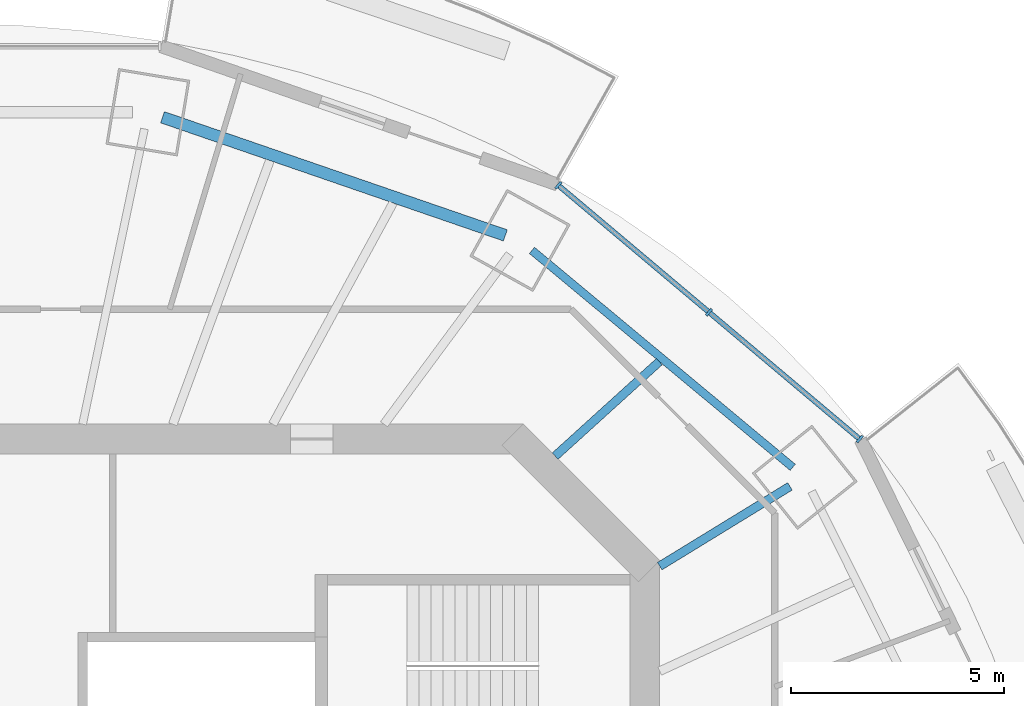
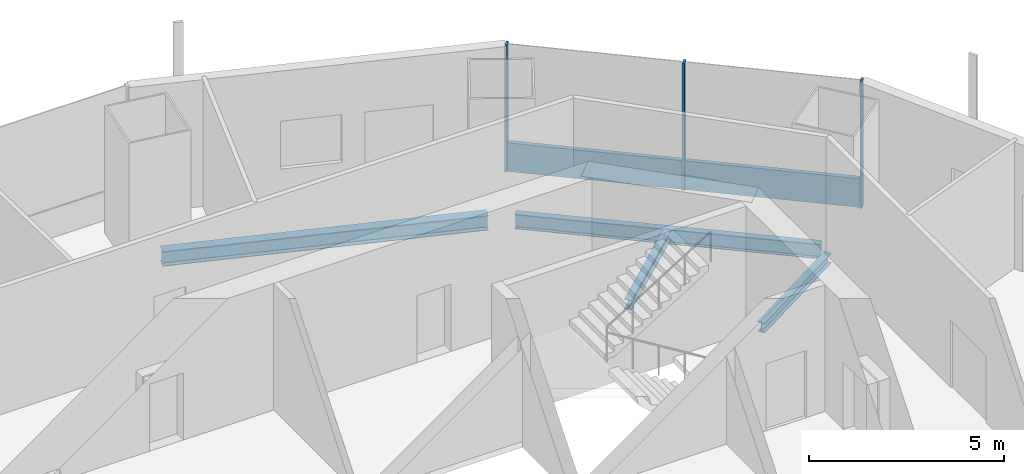
# One storey, part 6 of 16: 4 beams, 4 members, 1 element without a shape of its own.
"""IFC4 building model written with IfcOpenShell, lengths in metres."""

from ifc_helpers import new_model, si_unit, direction, frame, origin, origin_2d, place, context, subcontext, project, spatial, rectangle, i_section, extrude, material, material_profile, profile_set, type_object, element, aggregate, save


model = new_model("IFC4")

# Units and contexts
model_context = context("Model", 3, precision=1e-05, world=origin(), true_north=direction((0.0, 1.0)))
body_context = subcontext(model_context, "Body", "Model", "MODEL_VIEW")
ifc_project = project(units=[si_unit("LENGTHUNIT", "METRE"), si_unit("AREAUNIT", "SQUARE_METRE"), si_unit("VOLUMEUNIT", "CUBIC_METRE"), si_unit("PLANEANGLEUNIT", "RADIAN"), si_unit("MASSUNIT", "GRAM", prefix="KILO")], contexts=[model_context])

# Site, building, storey
site_placement = place(None, origin())
site = spatial("IfcSite", under=ifc_project, at=site_placement, CompositionType="ELEMENT")
building_placement = place(site_placement, origin())
building = spatial("IfcBuilding", under=site, at=building_placement, Name="Marenthal Gate Tower", CompositionType="ELEMENT")
storey_placement = place(building_placement, frame((0.0, 0.0, 375.800048828125)))
storey = spatial("IfcBuildingStorey", under=building, at=storey_placement, Name="L85", CompositionType="ELEMENT", Elevation=375.800048828125)

# Curtain wall, members
ifc_material_1 = material(Name="Aluminium and glass", Category="aluminium")
curtain_wall_type = type_object("IfcCurtainWallType", Name="Curtain wall typical high", PredefinedType="NOTDEFINED", material=ifc_material_1)
curtain_wall_placement = place(storey_placement, origin())
curtain_wall = element("IfcCurtainWall", 1, at=curtain_wall_placement, inside=storey, type_object=curtain_wall_type, Name="Curtain wall L85 bay 2", PredefinedType="NOTDEFINED")
ifc_material_2 = material(Name="Aluminium", Category="aluminium")
ifc_material_profile_1 = material_profile(ifc_material_2, rectangle(XDim=0.199951171875, YDim=0.06005859375, at=origin_2d()), Name="60x200 aluminium mullion")
ifc_profile_set_1 = profile_set([ifc_material_profile_1], Name="Aluminium")
member_type_1 = type_object("IfcMemberType", Name="Mullion 60x200 typical high", PredefinedType="MULLION", material=ifc_profile_set_1)
member_1_placement = place(storey_placement, frame((21.04736328125, 13.000244140625, 0.0), z_axis=(0.0, 0.0, 1.0), x_axis=(-0.64413508453, -0.764911754961, 0.0)))
member_1 = element("IfcMember", 2, at=member_1_placement, type_object=member_type_1, Name="Mullion L85 bay 2.1", PredefinedType="MULLION", context=body_context, shape_type="SweptSolid", body=[
    extrude(rectangle(XDim=0.199951171875, YDim=0.06005859375, at=origin_2d()), origin(), (0.0, 0.0, 1.0), 3.969970703125),
])
member_2_placement = place(storey_placement, frame((17.508056640625, 15.98046875, 0.0), z_axis=(0.0, 0.0, 1.0), x_axis=(-0.64413508453, -0.764911754961, 0.0)))
member_2 = element("IfcMember", 3, at=member_2_placement, type_object=member_type_1, Name="Mullion L85 bay 2.2", PredefinedType="MULLION", context=body_context, shape_type="SweptSolid", body=[
    extrude(rectangle(XDim=0.199951171875, YDim=0.06005859375, at=origin_2d()), origin(), (0.0, 0.0, 1.0), 3.969970703125),
])
member_3_placement = place(storey_placement, frame((13.96875, 18.9609375, 0.0), z_axis=(0.0, 0.0, 1.0), x_axis=(-0.64413508453, -0.764911754961, 0.0)))
member_3 = element("IfcMember", 4, at=member_3_placement, type_object=member_type_1, Name="Mullion L85 bay 2.3", PredefinedType="MULLION", context=body_context, shape_type="SweptSolid", body=[
    extrude(rectangle(XDim=0.199951171875, YDim=0.06005859375, at=origin_2d()), origin(), (0.0, 0.0, 1.0), 3.969970703125),
])
ifc_material_3 = material(Name="Aluminium", Category="aluminium")
ifc_material_profile_2 = material_profile(ifc_material_3, rectangle(XDim=0.1201171875, YDim=0.89990234375, at=origin_2d()), Name="120x900 aluminium transom")
ifc_profile_set_2 = profile_set([ifc_material_profile_2], Name="Aluminium")
member_type_2 = type_object("IfcMemberType", Name="Transom 120x900 typical high", PredefinedType="USERDEFINED", material=ifc_profile_set_2)
member_4_placement = place(storey_placement, frame((21.0244140625, 13.01953125, 0.449951171875), z_axis=(-0.764920149863, 0.644125115435, 0.0), x_axis=(-0.644125115435, -0.764920149863, 0.0)))
member_4 = element("IfcMember", 5, at=member_4_placement, type_object=member_type_2, Name="Transom L85 bay 2", ObjectType="TRANSOM", PredefinedType="USERDEFINED", context=body_context, shape_type="SweptSolid", body=[
    extrude(rectangle(XDim=0.1201171875, YDim=0.89990234375, at=origin_2d()), origin(), (0.0, 0.0, 1.0), 9.194091796875),
])
aggregate(curtain_wall, [member_1, member_2, member_3, member_4])

# Beams
ifc_material_4 = material(Name="Steel S355", Category="steel")
ifc_material_profile_3 = material_profile(ifc_material_4, i_section(OverallWidth=0.202880859375, OverallDepth=0.302001953125, WebThickness=0.007568359375, FlangeThickness=0.01318359375, FilletRadius=0.0126953125, at=origin_2d()), Name="W310X60")
ifc_profile_set_3 = profile_set([ifc_material_profile_3], Name="Steel S355")
beam_type_1 = type_object("IfcBeamType", Name="W310X60 beam", PredefinedType="BEAM", material=ifc_profile_set_3)
beam_1_placement = place(storey_placement, frame((16.3408203125, 14.820068359375, -0.3310546875), z_axis=(-0.74074555035, -0.671785702168, 0.0), x_axis=(0.671785702168, -0.74074555035, 0.0)))
element("IfcBeam", 6, at=beam_1_placement, inside=storey, type_object=beam_type_1, Name="BM-L85-19", PredefinedType="BEAM", context=body_context, shape_type="SweptSolid", body=[
    extrude(i_section(OverallWidth=0.202880859375, OverallDepth=0.302001953125, WebThickness=0.007568359375, FlangeThickness=0.01318359375, FilletRadius=0.0126953125, at=origin_2d()), origin(), (0.0, 0.0, 1.0), 3.30322265625),
])
ifc_material_5 = material(Name="Steel S355", Category="steel")
ifc_material_profile_4 = material_profile(ifc_material_5, i_section(OverallWidth=0.205078125, OverallDepth=0.31005859375, WebThickness=0.009521484375, FlangeThickness=0.016357421875, FilletRadius=0.0126953125, at=origin_2d()), Name="W310X74")
ifc_profile_set_4 = profile_set([ifc_material_profile_4], Name="Steel S355")
beam_type_2 = type_object("IfcBeamType", Name="W310X74 beam", PredefinedType="BEAM", material=ifc_profile_set_4)
beam_2_placement = place(storey_placement, frame((19.4091796875, 11.890380859375, -0.3349609375), z_axis=(-0.852682419774, -0.522429603879, 0.0), x_axis=(0.522429603879, -0.852682419774, 0.0)))
element("IfcBeam", 7, at=beam_2_placement, inside=storey, type_object=beam_type_2, Name="BM-L85-02", PredefinedType="BEAM", context=body_context, shape_type="SweptSolid", body=[
    extrude(i_section(OverallWidth=0.205078125, OverallDepth=0.31005859375, WebThickness=0.009521484375, FlangeThickness=0.016357421875, FilletRadius=0.0126953125, at=origin_2d()), origin(), (0.0, 0.0, 1.0), 3.587646484375),
])
ifc_material_6 = material(Name="Steel S355", Category="steel")
ifc_material_profile_5 = material_profile(ifc_material_6, i_section(OverallWidth=0.279052734375, OverallDepth=0.4619140625, WebThickness=0.0107421875, FlangeThickness=0.017333984375, FilletRadius=0.010009765625, at=origin_2d()), Name="W460X113")
ifc_profile_set_5 = profile_set([ifc_material_profile_5], Name="Steel S355")
beam_type_3 = type_object("IfcBeamType", Name="W460X113 beam", PredefinedType="BEAM", material=ifc_profile_set_5)
beam_3_placement = place(storey_placement, frame((12.724609375, 17.784912109375, -0.4111328125), z_axis=(-0.945450630653, 0.32576541406, 0.0), x_axis=(-0.32576541406, -0.945450630653, 0.0)))
element("IfcBeam", 8, at=beam_3_placement, inside=storey, type_object=beam_type_3, Name="BM-L85-41", PredefinedType="BEAM", context=body_context, shape_type="SweptSolid", body=[
    extrude(i_section(OverallWidth=0.279052734375, OverallDepth=0.4619140625, WebThickness=0.0107421875, FlangeThickness=0.017333984375, FilletRadius=0.010009765625, at=origin_2d()), origin(), (0.0, 0.0, 1.0), 8.517333984375),
])
ifc_material_7 = material(Name="Steel S355", Category="steel")
ifc_material_profile_6 = material_profile(ifc_material_7, i_section(OverallWidth=0.19091796875, OverallDepth=0.45703125, WebThickness=0.009033203125, FlangeThickness=0.014404296875, FilletRadius=0.01025390625, at=origin_2d()), Name="W460X74")
ifc_profile_set_6 = profile_set([ifc_material_profile_6], Name="Steel S355")
beam_type_4 = type_object("IfcBeamType", Name="W460X74 beam", PredefinedType="BEAM", material=ifc_profile_set_6)
beam_4_placement = place(storey_placement, frame((19.47412109375, 12.337890625, -0.408447265625), z_axis=(-0.76879863702, 0.639490934819, 0.0), x_axis=(-0.639490934819, -0.76879863702, 0.0)))
element("IfcBeam", 9, at=beam_4_placement, inside=storey, type_object=beam_type_4, Name="BM-L85-40", PredefinedType="BEAM", context=body_context, shape_type="SweptSolid", body=[
    extrude(i_section(OverallWidth=0.19091796875, OverallDepth=0.45703125, WebThickness=0.009033203125, FlangeThickness=0.014404296875, FilletRadius=0.01025390625, at=origin_2d()), origin(), (0.0, 0.0, 1.0), 7.967529296875),
])

save(model, "model.ifc")
